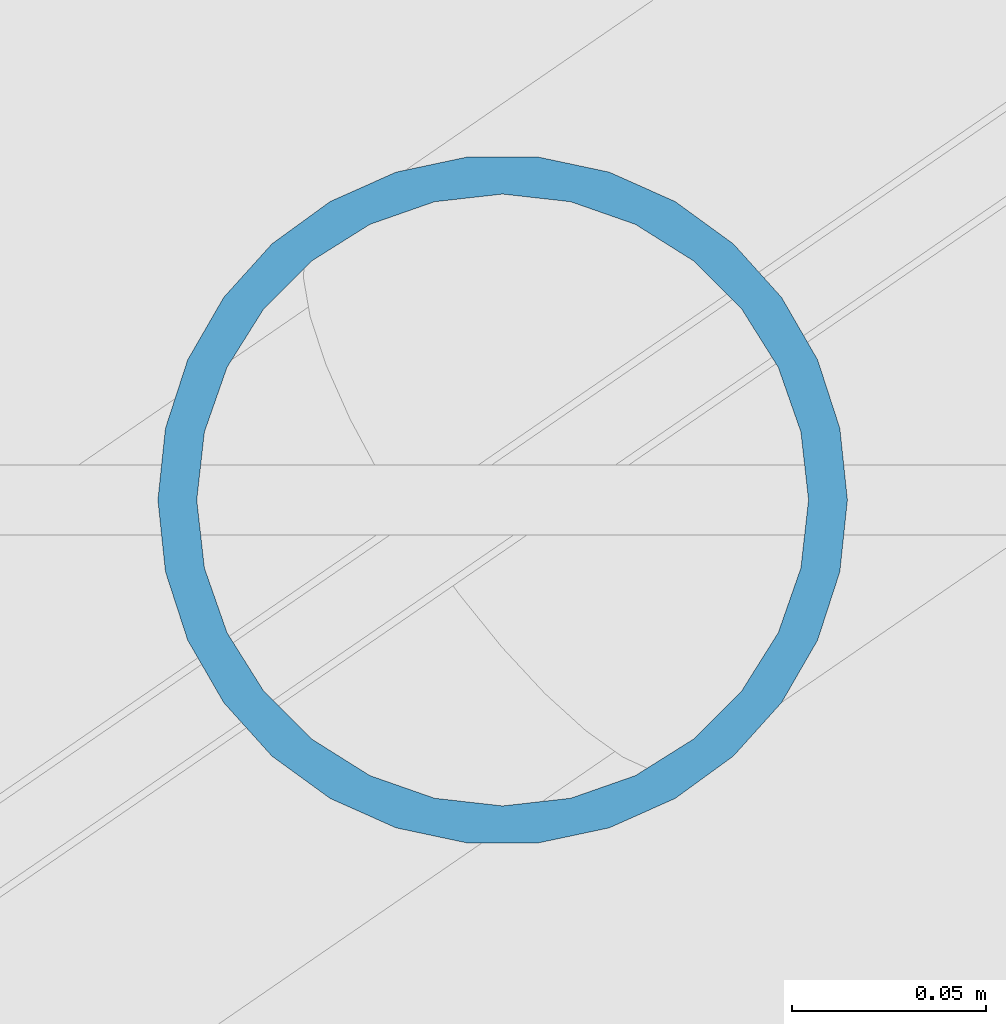
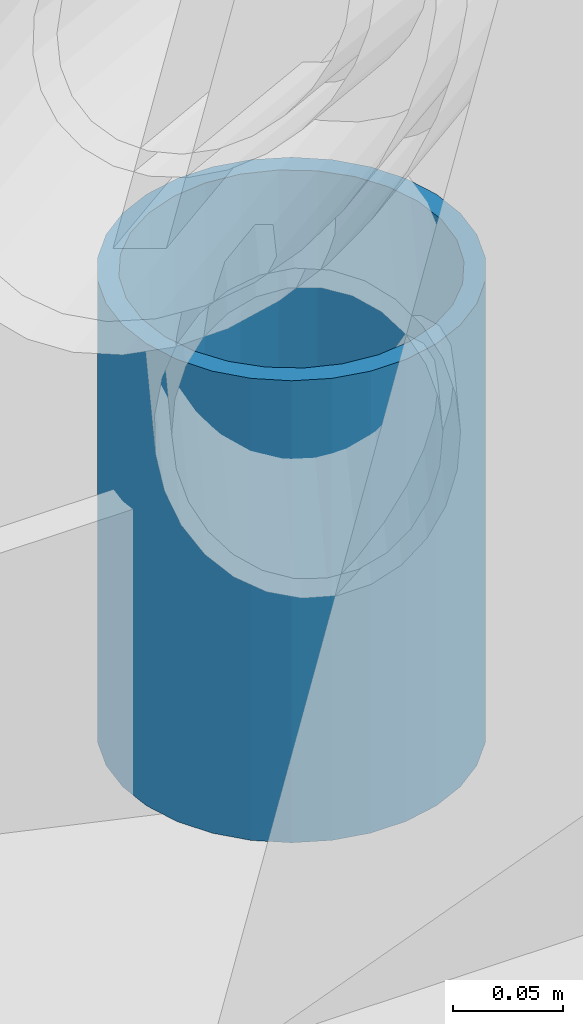
# One storey, part 44 of 66: 1 member.
"""IFC4 building model written with IfcOpenShell, lengths in metres."""

from ifc_helpers import new_model, si_unit, direction, frame, origin, origin_2d, place, context, subcontext, project, spatial, hollow_circle, extrude, material, material_profile, profile_set, type_object, element, save


model = new_model("IFC4")

# Units and contexts
model_context = context("Model", 3, precision=1e-05, world=origin(), true_north=direction((0.0, 1.0)))
body_context = subcontext(model_context, "Body", "Model", "MODEL_VIEW")
ifc_project = project(units=[si_unit("LENGTHUNIT", "METRE"), si_unit("AREAUNIT", "SQUARE_METRE"), si_unit("VOLUMEUNIT", "CUBIC_METRE"), si_unit("PLANEANGLEUNIT", "RADIAN"), si_unit("MASSUNIT", "GRAM", prefix="KILO")], contexts=[model_context])

# Site, building, storey
site_placement = place(None, origin())
site = spatial("IfcSite", under=ifc_project, at=site_placement, CompositionType="ELEMENT")
building_placement = place(site_placement, origin())
building = spatial("IfcBuilding", under=site, at=building_placement, Name="Zornivar Specialist Clinic", CompositionType="ELEMENT")
storey_placement = place(building_placement, frame((0.0, 0.0, 16.0)))
storey = spatial("IfcBuildingStorey", under=building, at=storey_placement, Name="L04", CompositionType="ELEMENT", Elevation=16.0)

# Member
ifc_material = material(Name="Steel S355J2", Category="steel")
ifc_material_profile = material_profile(ifc_material, hollow_circle(Radius=0.0888671875, WallThickness=0.010009765625, at=origin_2d()), Name="CHS 177.8x10")
ifc_profile_set = profile_set([ifc_material_profile], Name="Steel S355J2")
member_type = type_object("IfcMemberType", Name="MEM-STRUT-CHS178", PredefinedType="STRUT", material=ifc_profile_set)
member_placement = place(storey_placement, frame((116.22705078125, 73.156005859375, -0.080078125), z_axis=(0.0, 0.0, 1.0), x_axis=(1.0, 0.0, 0.0)))
element("IfcMember", 1, at=member_placement, inside=storey, type_object=member_type, Name="mem:V1:L04:post:out:1", PredefinedType="STRUT", context=body_context, shape_type="SweptSolid", body=[
    extrude(hollow_circle(Radius=0.0888671875, WallThickness=0.010009765625, at=origin_2d()), origin(), (0.0, 0.0, 1.0), 0.257080078125),
])

save(model, "model.ifc")
